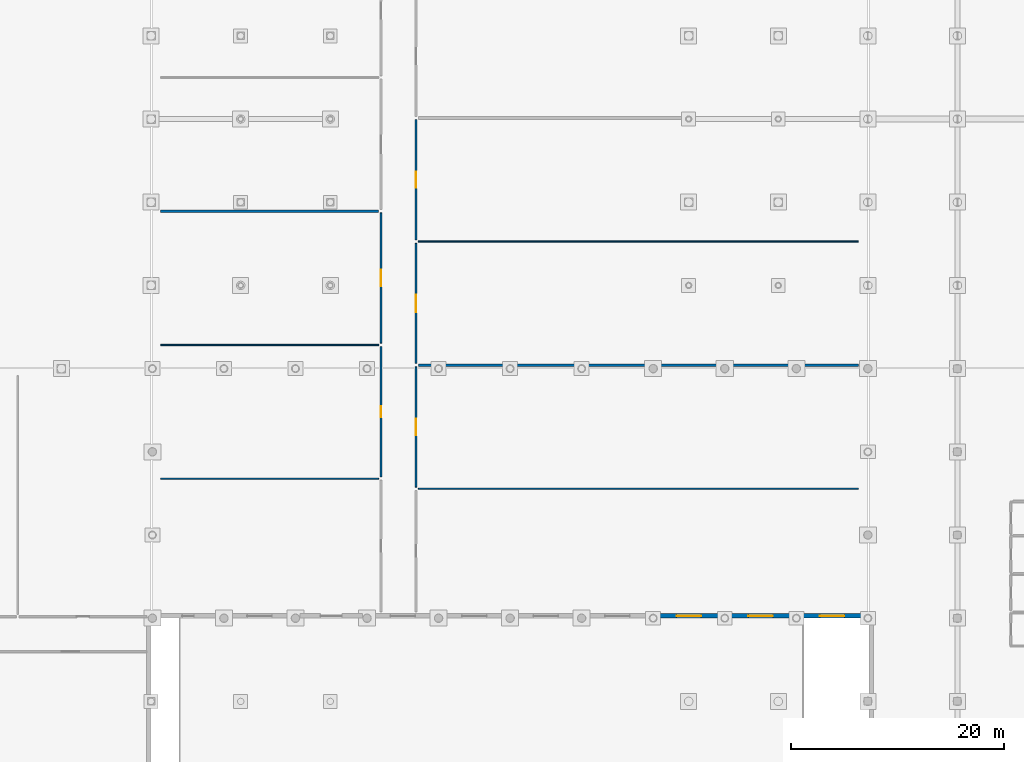
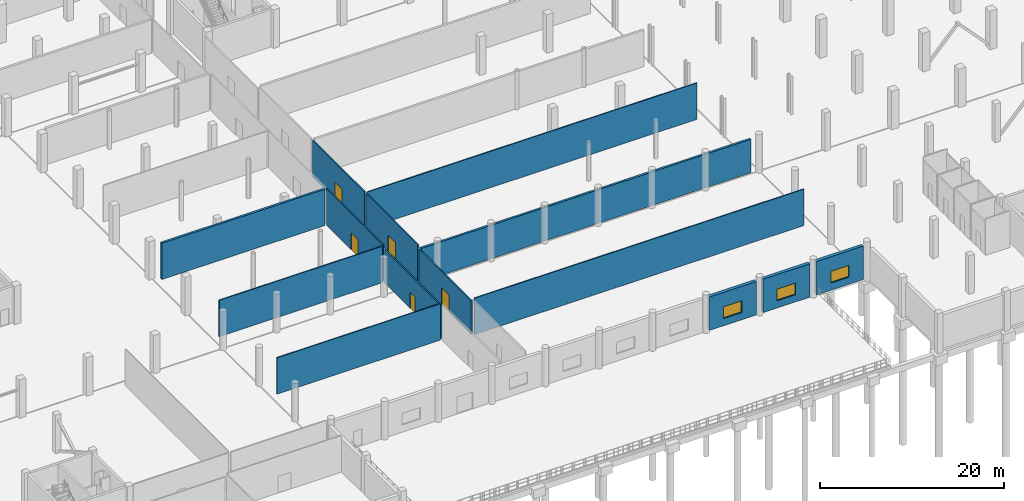
# One storey, part 29 of 48: 14 walls, 5 doors, 3 windows, 8 openings.
"""IFC4 building model written with IfcOpenShell, lengths in metres."""

from ifc_helpers import new_model, si_unit, direction, frame, frame_2d, origin, place, context, subcontext, project, spatial, rectangle, extrude, material, layer, layer_set, type_object, element, fill, save


model = new_model("IFC4")

# Units and contexts
model_context = context("Model", 3, precision=1e-05, world=origin(), true_north=direction((0.0, 1.0)))
body_context = subcontext(model_context, "Body", "Model", "MODEL_VIEW")
ifc_project = project(units=[si_unit("LENGTHUNIT", "METRE"), si_unit("AREAUNIT", "SQUARE_METRE"), si_unit("VOLUMEUNIT", "CUBIC_METRE"), si_unit("PLANEANGLEUNIT", "RADIAN"), si_unit("MASSUNIT", "GRAM", prefix="KILO")], contexts=[model_context])

# Site, building, storey
site_placement = place(None, origin())
site = spatial("IfcSite", under=ifc_project, at=site_placement, CompositionType="ELEMENT")
building_placement = place(site_placement, origin())
building = spatial("IfcBuilding", under=site, at=building_placement, Name="Nabrawat Pavilion Hospital", CompositionType="ELEMENT")
storey_placement = place(building_placement, frame((0.0, 0.0, -5.10009765625)))
storey = spatial("IfcBuildingStorey", under=building, at=storey_placement, Name="B1", CompositionType="ELEMENT", Elevation=-5.10009765625)

# Wall, opening, window
ifc_material_1 = material(Name="Concrete C35/45", Category="concrete")
ifc_layer_1 = layer(ifc_material_1, 0.39990234375, Name="Concrete C35/45")
ifc_layer_set_1 = layer_set([ifc_layer_1], Name="Concrete C35/45")
wall_type_1 = type_object("IfcWallType", Name="Basement RC Retaining Wall 400", PredefinedType="USERDEFINED", material=ifc_layer_set_1)
wall_1_placement = place(storey_placement, frame((106.291015625, 15.820068359375, 0.0), z_axis=(0.0, 0.0, 1.0), x_axis=(1.0, 0.0, 0.0)))
wall_1 = element("IfcWall", 1, at=wall_1_placement, inside=storey, type_object=wall_type_1, Name="B1 Perimeter Retaining Wall 039", ObjectType="RETAININGWALL", PredefinedType="USERDEFINED", context=body_context, shape_type="SweptSolid", body=[
    extrude(rectangle(XDim=5.8779296875, YDim=0.39990234375, at=frame_2d((2.93896484375, 0.0))), origin(), (0.0, 0.0, 1.0), 4.43017578125),
])
opening_1_placement = place(wall_1_placement, frame((1.7890625, 0.0, 0.949951171875)))
opening_1 = element("IfcOpeningElement", 2, at=opening_1_placement, cuts=wall_1, Name="Opening WN-21", PredefinedType="OPENING", context=body_context, shape_type="SweptSolid", body=[
    extrude(rectangle(XDim=2.300048828125, YDim=1.550048828125, at=frame_2d((1.14990234375, 0.77490234375))), frame((0.0, 0.2099609375, 0.0), z_axis=(0.0, -1.0, 0.0), x_axis=(1.0, 0.0, 0.0)), (0.0, 0.0, 1.0), 0.419921875),
])
ifc_material_2 = material(Name="Thermally Broken Aluminium and Solar Glass", Category="aluminium")
window_type = type_object("IfcWindowType", Name="Sunken Forecourt Metro Window 2300x1550", PartitioningType="SINGLE_PANEL", PredefinedType="WINDOW", material=ifc_material_2)
window_1_placement = place(opening_1_placement, origin())
window_1 = element("IfcWindow", 3, at=window_1_placement, inside=storey, type_object=window_type, Name="B1 Sunken Forecourt Daylight Window 007", OverallHeight=1.550048828125, OverallWidth=2.300048828125, PartitioningType="SINGLE_PANEL", PredefinedType="WINDOW", context=body_context, shape_type="SweptSolid", body=[
    extrude(rectangle(XDim=2.300048828125, YDim=1.550048828125, at=frame_2d((1.14990234375, 0.77490234375))), frame((0.0, 0.030029296875, 0.0), z_axis=(0.0, -1.0, 0.0), x_axis=(1.0, 0.0, 0.0)), (0.0, 0.0, 1.0), 0.06005859375),
])
fill(opening_1, window_1)

wall_2_placement = place(storey_placement, frame((112.9990234375, 15.820068359375, 0.0), z_axis=(0.0, 0.0, 1.0), x_axis=(1.0, 0.0, 0.0)))
wall_2 = element("IfcWall", 4, at=wall_2_placement, inside=storey, type_object=wall_type_1, Name="B1 Perimeter Retaining Wall 040", ObjectType="RETAININGWALL", PredefinedType="USERDEFINED", context=body_context, shape_type="SweptSolid", body=[
    extrude(rectangle(XDim=5.8779296875, YDim=0.39990234375, at=frame_2d((2.93896484375, 0.0))), origin(), (0.0, 0.0, 1.0), 4.43017578125),
])
opening_2_placement = place(wall_2_placement, frame((1.7890625, 0.0, 0.949951171875)))
opening_2 = element("IfcOpeningElement", 5, at=opening_2_placement, cuts=wall_2, Name="Opening WN-21", PredefinedType="OPENING", context=body_context, shape_type="SweptSolid", body=[
    extrude(rectangle(XDim=2.300048828125, YDim=1.550048828125, at=frame_2d((1.14990234375, 0.77490234375))), frame((0.0, 0.2099609375, 0.0), z_axis=(0.0, -1.0, 0.0), x_axis=(1.0, 0.0, 0.0)), (0.0, 0.0, 1.0), 0.419921875),
])
window_2_placement = place(opening_2_placement, origin())
window_2 = element("IfcWindow", 6, at=window_2_placement, inside=storey, type_object=window_type, Name="B1 Sunken Forecourt Daylight Window 008", OverallHeight=1.550048828125, OverallWidth=2.300048828125, PartitioningType="SINGLE_PANEL", PredefinedType="WINDOW", context=body_context, shape_type="SweptSolid", body=[
    extrude(rectangle(XDim=2.300048828125, YDim=1.550048828125, at=frame_2d((1.14990234375, 0.77490234375))), frame((0.0, 0.030029296875, 0.0), z_axis=(0.0, -1.0, 0.0), x_axis=(1.0, 0.0, 0.0)), (0.0, 0.0, 1.0), 0.06005859375),
])
fill(opening_2, window_2)

wall_3_placement = place(storey_placement, frame((119.70703125, 15.820068359375, 0.0), z_axis=(0.0, 0.0, 1.0), x_axis=(1.0, 0.0, 0.0)))
wall_3 = element("IfcWall", 7, at=wall_3_placement, inside=storey, type_object=wall_type_1, Name="B1 Perimeter Retaining Wall 041", ObjectType="RETAININGWALL", PredefinedType="USERDEFINED", context=body_context, shape_type="SweptSolid", body=[
    extrude(rectangle(XDim=5.8779296875, YDim=0.39990234375, at=frame_2d((2.93896484375, 0.0))), origin(), (0.0, 0.0, 1.0), 4.43017578125),
])
opening_3_placement = place(wall_3_placement, frame((1.7890625, 0.0, 0.949951171875)))
opening_3 = element("IfcOpeningElement", 8, at=opening_3_placement, cuts=wall_3, Name="Opening WN-21", PredefinedType="OPENING", context=body_context, shape_type="SweptSolid", body=[
    extrude(rectangle(XDim=2.300048828125, YDim=1.550048828125, at=frame_2d((1.14990234375, 0.77490234375))), frame((0.0, 0.2099609375, 0.0), z_axis=(0.0, -1.0, 0.0), x_axis=(1.0, 0.0, 0.0)), (0.0, 0.0, 1.0), 0.419921875),
])
window_3_placement = place(opening_3_placement, origin())
window_3 = element("IfcWindow", 9, at=window_3_placement, inside=storey, type_object=window_type, Name="B1 Sunken Forecourt Daylight Window 009", OverallHeight=1.550048828125, OverallWidth=2.300048828125, PartitioningType="SINGLE_PANEL", PredefinedType="WINDOW", context=body_context, shape_type="SweptSolid", body=[
    extrude(rectangle(XDim=2.300048828125, YDim=1.550048828125, at=frame_2d((1.14990234375, 0.77490234375))), frame((0.0, 0.030029296875, 0.0), z_axis=(0.0, -1.0, 0.0), x_axis=(1.0, 0.0, 0.0)), (0.0, 0.0, 1.0), 0.06005859375),
])
fill(opening_3, window_3)

# Wall, opening, door
ifc_material_3 = material(Name="Gypsum Fireboard on Steel Stud", Category="steel")
ifc_layer_2 = layer(ifc_material_3, 0.14990234375, Name="Gypsum Fireboard on Steel Stud")
ifc_layer_set_2 = layer_set([ifc_layer_2], Name="Gypsum Fireboard on Steel Stud")
wall_type_2 = type_object("IfcWallType", Name="Clinical Corridor Smoke-Barrier Wall 150", PredefinedType="PARTITIONING", material=ifc_layer_set_2)
wall_4_placement = place(storey_placement, frame((80.360107421875, 28.840087890625, 0.0), z_axis=(0.0, 0.0, 1.0), x_axis=(0.0, 1.0, 0.0)))
wall_4 = element("IfcWall", 10, at=wall_4_placement, inside=storey, type_object=wall_type_2, Name="B1 Staff Secure Bicycle Storage and Changing Room B1-02 Front Partition", PredefinedType="PARTITIONING", context=body_context, shape_type="SweptSolid", body=[
    extrude(rectangle(XDim=12.219970703125, YDim=0.14990234375, at=frame_2d((6.10986328125, 0.0))), origin(), (0.0, 0.0, 1.0), 4.43017578125),
])
opening_4_placement = place(wall_4_placement, frame((5.5849609375, 0.0, 0.0)))
opening_4 = element("IfcOpeningElement", 11, at=opening_4_placement, cuts=wall_4, Name="Opening D-OPC-L", PredefinedType="OPENING", context=body_context, shape_type="SweptSolid", body=[
    extrude(rectangle(XDim=1.050048828125, YDim=2.14990234375, at=frame_2d((0.52490234375, 1.074951171875))), frame((0.0, 0.0849609375, 0.0), z_axis=(0.0, -1.0, 0.0), x_axis=(1.0, 0.0, 0.0)), (0.0, 0.0, 1.0), 0.169921875),
])
ifc_material_4 = material(Name="Stainless-Clad Acoustic Timber and Vision Glass", Category="wood")
door_type_1 = type_object("IfcDoorType", Name="Outpatient Clinic Consultation Door L 1050x2150", OperationType="NOTDEFINED", PredefinedType="DOOR", material=ifc_material_4)
door_1_placement = place(opening_4_placement, origin())
door_1 = element("IfcDoor", 12, at=door_1_placement, inside=storey, type_object=door_type_1, Name="Staff Secure Bicycle Storage and Changing Room B1-02 Door", OperationType="SINGLE_SWING_RIGHT", OverallHeight=2.14990234375, OverallWidth=1.050048828125, PredefinedType="DOOR", context=body_context, shape_type="SweptSolid", body=[
    extrude(rectangle(XDim=1.050048828125, YDim=2.14990234375, at=frame_2d((0.52490234375, 1.074951171875))), frame((0.0, 0.02490234375, 0.0), z_axis=(0.0, -1.0, 0.0), x_axis=(1.0, 0.0, 0.0)), (0.0, 0.0, 1.0), 0.050048828125),
])
fill(opening_4, door_1)

wall_5_placement = place(storey_placement, frame((80.360107421875, 41.3798828125, 0.0), z_axis=(0.0, 0.0, 1.0), x_axis=(0.0, 1.0, 0.0)))
wall_5 = element("IfcWall", 13, at=wall_5_placement, inside=storey, type_object=wall_type_2, Name="B1 Cyclotron Radio-Pharmacy Bunker B1-03 Front Partition", PredefinedType="PARTITIONING", context=body_context, shape_type="SweptSolid", body=[
    extrude(rectangle(XDim=12.22021484375, YDim=0.14990234375, at=frame_2d((6.110107421875, 0.0))), origin(), (0.0, 0.0, 1.0), 4.820068359375),
])
opening_5_placement = place(wall_5_placement, frame((5.3349609375, 0.0, 0.0)))
opening_5 = element("IfcOpeningElement", 14, at=opening_5_placement, cuts=wall_5, Name="Opening D-IMG", PredefinedType="OPENING", context=body_context, shape_type="SweptSolid", body=[
    extrude(rectangle(XDim=1.550048828125, YDim=2.25, at=frame_2d((0.77490234375, 1.125))), frame((0.0, 0.0849609375, 0.0), z_axis=(0.0, -1.0, 0.0), x_axis=(1.0, 0.0, 0.0)), (0.0, 0.0, 1.0), 0.169921875),
])
door_type_2 = type_object("IfcDoorType", Name="Lead-Lined Radiology Shielded Door 1550x2250", OperationType="NOTDEFINED", PredefinedType="DOOR", material=ifc_material_4)
door_2_placement = place(opening_5_placement, origin())
door_2 = element("IfcDoor", 15, at=door_2_placement, inside=storey, type_object=door_type_2, Name="Cyclotron Radio-Pharmacy Bunker B1-03 Door", OperationType="SINGLE_SWING_LEFT", OverallHeight=2.25, OverallWidth=1.550048828125, PredefinedType="DOOR", context=body_context, shape_type="SweptSolid", body=[
    extrude(rectangle(XDim=1.550048828125, YDim=2.25, at=frame_2d((0.77490234375, 1.125))), frame((0.0, 0.02490234375, 0.0), z_axis=(0.0, -1.0, 0.0), x_axis=(1.0, 0.0, 0.0)), (0.0, 0.0, 1.0), 0.050048828125),
])
fill(opening_5, door_2)

wall_6_placement = place(storey_placement, frame((83.639892578125, 27.889892578125, 0.0), z_axis=(0.0, 0.0, 1.0), x_axis=(0.0, 1.0, 0.0)))
wall_6 = element("IfcWall", 16, at=wall_6_placement, inside=storey, type_object=wall_type_2, Name="B1 Cyclotron Radio-Pharmacy Bunker B1-10 Front Partition", PredefinedType="PARTITIONING", context=body_context, shape_type="SweptSolid", body=[
    extrude(rectangle(XDim=11.27001953125, YDim=0.14990234375, at=frame_2d((5.635009765625, 0.0))), origin(), (0.0, 0.0, 1.0), 4.43017578125),
])
opening_6_placement = place(wall_6_placement, frame((4.860107421875, 0.0, 0.0)))
opening_6 = element("IfcOpeningElement", 17, at=opening_6_placement, cuts=wall_6, Name="Opening D-IMG", PredefinedType="OPENING", context=body_context, shape_type="SweptSolid", body=[
    extrude(rectangle(XDim=1.550048828125, YDim=2.25, at=frame_2d((0.77490234375, 1.125))), frame((0.0, 0.0849609375, 0.0), z_axis=(0.0, -1.0, 0.0), x_axis=(1.0, 0.0, 0.0)), (0.0, 0.0, 1.0), 0.169921875),
])
door_3_placement = place(opening_6_placement, origin())
door_3 = element("IfcDoor", 18, at=door_3_placement, inside=storey, type_object=door_type_2, Name="Cyclotron Radio-Pharmacy Bunker B1-10 Door", OperationType="SINGLE_SWING_RIGHT", OverallHeight=2.25, OverallWidth=1.550048828125, PredefinedType="DOOR", context=body_context, shape_type="SweptSolid", body=[
    extrude(rectangle(XDim=1.550048828125, YDim=2.25, at=frame_2d((0.77490234375, 1.125))), frame((0.0, 0.02490234375, 0.0), z_axis=(0.0, -1.0, 0.0), x_axis=(1.0, 0.0, 0.0)), (0.0, 0.0, 1.0), 0.050048828125),
])
fill(opening_6, door_3)

wall_7_placement = place(storey_placement, frame((83.639892578125, 39.47998046875, 0.0), z_axis=(0.0, 0.0, 1.0), x_axis=(0.0, 1.0, 0.0)))
wall_7 = element("IfcWall", 19, at=wall_7_placement, inside=storey, type_object=wall_type_2, Name="B1 Bulk Surgical Consumables Warehouse B1-11 Front Partition", PredefinedType="PARTITIONING", context=body_context, shape_type="SweptSolid", body=[
    extrude(rectangle(XDim=11.27001953125, YDim=0.14990234375, at=frame_2d((5.635009765625, 0.0))), origin(), (0.0, 0.0, 1.0), 4.820068359375),
])
opening_7_placement = place(wall_7_placement, frame((4.81005859375, 0.0, 0.0)))
opening_7 = element("IfcOpeningElement", 20, at=opening_7_placement, cuts=wall_7, Name="Opening D-STRG", PredefinedType="OPENING", context=body_context, shape_type="SweptSolid", body=[
    extrude(rectangle(XDim=1.64990234375, YDim=2.199951171875, at=frame_2d((0.824951171875, 1.10009765625))), frame((0.0, 0.0849609375, 0.0), z_axis=(0.0, -1.0, 0.0), x_axis=(1.0, 0.0, 0.0)), (0.0, 0.0, 1.0), 0.169921875),
])
door_type_3 = type_object("IfcDoorType", Name="Bulk Medical Store Double Door 1650x2200", OperationType="NOTDEFINED", PredefinedType="DOOR", material=ifc_material_4)
door_4_placement = place(opening_7_placement, origin())
door_4 = element("IfcDoor", 21, at=door_4_placement, inside=storey, type_object=door_type_3, Name="Bulk Surgical Consumables Warehouse B1-11 Door", OperationType="DOUBLE_DOOR_SINGLE_SWING", OverallHeight=2.199951171875, OverallWidth=1.64990234375, PredefinedType="DOOR", context=body_context, shape_type="SweptSolid", body=[
    extrude(rectangle(XDim=1.64990234375, YDim=2.199951171875, at=frame_2d((0.824951171875, 1.10009765625))), frame((0.0, 0.02490234375, 0.0), z_axis=(0.0, -1.0, 0.0), x_axis=(1.0, 0.0, 0.0)), (0.0, 0.0, 1.0), 0.050048828125),
])
fill(opening_7, door_4)

wall_8_placement = place(storey_placement, frame((83.639892578125, 51.070068359375, 0.0), z_axis=(0.0, 0.0, 1.0), x_axis=(0.0, 1.0, 0.0)))
wall_8 = element("IfcWall", 22, at=wall_8_placement, inside=storey, type_object=wall_type_2, Name="B1 Reverse Osmosis Dialysis Water Plant Room B1-12 Front Partition", PredefinedType="PARTITIONING", context=body_context, shape_type="SweptSolid", body=[
    extrude(rectangle(XDim=11.27001953125, YDim=0.14990234375, at=frame_2d((5.635009765625, 0.0))), origin(), (0.0, 0.0, 1.0), 4.820068359375),
])
opening_8_placement = place(wall_8_placement, frame((4.885009765625, 0.0, 0.0)))
opening_8 = element("IfcOpeningElement", 23, at=opening_8_placement, cuts=wall_8, Name="Opening D-PLANT", PredefinedType="OPENING", context=body_context, shape_type="SweptSolid", body=[
    extrude(rectangle(XDim=1.5, YDim=2.25, at=frame_2d((0.75, 1.125))), frame((0.0, 0.0849609375, 0.0), z_axis=(0.0, -1.0, 0.0), x_axis=(1.0, 0.0, 0.0)), (0.0, 0.0, 1.0), 0.169921875),
])
door_type_4 = type_object("IfcDoorType", Name="D-PLANT Heavy Plant Room Steel Fire Door 1500x2250", OperationType="NOTDEFINED", PredefinedType="DOOR", material=ifc_material_4)
door_5_placement = place(opening_8_placement, origin())
door_5 = element("IfcDoor", 24, at=door_5_placement, inside=storey, type_object=door_type_4, Name="Reverse Osmosis Dialysis Water Plant Room B1-12 Door", OperationType="DOUBLE_DOOR_SINGLE_SWING", OverallHeight=2.25, OverallWidth=1.5, PredefinedType="DOOR", context=body_context, shape_type="SweptSolid", body=[
    extrude(rectangle(XDim=1.5, YDim=2.25, at=frame_2d((0.75, 1.125))), frame((0.0, 0.02490234375, 0.0), z_axis=(0.0, -1.0, 0.0), x_axis=(1.0, 0.0, 0.0)), (0.0, 0.0, 1.0), 0.050048828125),
])
fill(opening_8, door_5)

# Walls
ifc_material_5 = material(Name="Barium Concrete Block", Category="concrete")
ifc_layer_3 = layer(ifc_material_5, 0.260009765625, Name="Barium Concrete Block")
ifc_layer_set_3 = layer_set([ifc_layer_3], Name="Barium Concrete Block")
wall_type_3 = type_object("IfcWallType", Name="Diagnostic X-Ray Barium-Plaster Wall 260", PredefinedType="PARTITIONING", material=ifc_layer_set_3)
wall_9_placement = place(storey_placement, frame((59.68994140625, 53.760009765625, 0.0), z_axis=(0.0, 0.0, 1.0), x_axis=(1.0, 0.0, 0.0)))
element("IfcWall", 25, at=wall_9_placement, inside=storey, type_object=wall_type_3, Name="B1 Cyclotron Radio-Pharmacy Bunker B1-03 Dividing Partition", PredefinedType="PARTITIONING", context=body_context, shape_type="SweptSolid", body=[
    extrude(rectangle(XDim=20.449951171875, YDim=0.260009765625, at=frame_2d((10.22509765625, 0.0))), origin(), (0.0, 0.0, 1.0), 4.820068359375),
])
wall_10_placement = place(storey_placement, frame((83.860107421875, 39.320068359375, 0.0), z_axis=(0.0, 0.0, 1.0), x_axis=(1.0, 0.0, 0.0)))
element("IfcWall", 26, at=wall_10_placement, inside=storey, type_object=wall_type_3, Name="B1 Cyclotron Radio-Pharmacy Bunker B1-10 Dividing Partition", PredefinedType="PARTITIONING", context=body_context, shape_type="SweptSolid", body=[
    extrude(rectangle(XDim=41.25, YDim=0.260009765625, at=frame_2d((20.625, 0.0))), origin(), (0.0, 0.0, 1.0), 4.43017578125),
])
ifc_material_6 = material(Name="Gypsum Plasterboard on Stud", Category="gypsum")
ifc_layer_4 = layer(ifc_material_6, 0.1201171875, Name="Gypsum Plasterboard on Stud")
ifc_layer_set_4 = layer_set([ifc_layer_4], Name="Gypsum Plasterboard on Stud")
wall_type_4 = type_object("IfcWallType", Name="Outpatient Consultation Partition 120", PredefinedType="PARTITIONING", material=ifc_layer_set_4)
for number, where, z_axis, x_axis, name in (
    (27, (59.68994140625, 28.679931640625, 0.0), (0.0, 0.0, 1.0), (1.0, 0.0, 0.0), "B1 Metro Tunnel Pedestrian Concourse Reception B1-01 Dividing Partition"),
    (28, (59.68994140625, 41.219970703125, 0.0), (0.0, 0.0, 1.0), (1.0, 0.0, 0.0), "B1 Staff Secure Bicycle Storage and Changing Room B1-02 Dividing Partition"),
):
    element("IfcWall", number, at=place(storey_placement, frame(where, z_axis=z_axis, x_axis=x_axis)), inside=storey, type_object=wall_type_4, Name=name, PredefinedType="PARTITIONING", context=body_context, shape_type="SweptSolid", body=[
        extrude(rectangle(XDim=20.449951171875, YDim=0.1201171875, at=frame_2d((10.22509765625, 0.0))), origin(), (0.0, 0.0, 1.0), 4.820068359375),
    ])
for number, where, z_axis, x_axis, name in (
    (29, (83.860107421875, 27.72998046875, 0.0), (0.0, 0.0, 1.0), (1.0, 0.0, 0.0), "B1 Staff Secure Bicycle Storage and Changing Room B1-09 Dividing Partition"),
    (30, (83.860107421875, 50.909912109375, 0.0), (0.0, 0.0, 1.0), (1.0, 0.0, 0.0), "B1 Bulk Surgical Consumables Warehouse B1-11 Dividing Partition"),
):
    element("IfcWall", number, at=place(storey_placement, frame(where, z_axis=z_axis, x_axis=x_axis)), inside=storey, type_object=wall_type_4, Name=name, PredefinedType="PARTITIONING", context=body_context, shape_type="SweptSolid", body=[
        extrude(rectangle(XDim=41.25, YDim=0.1201171875, at=frame_2d((20.625, 0.0))), origin(), (0.0, 0.0, 1.0), 4.820068359375),
    ])

save(model, "model.ifc")
